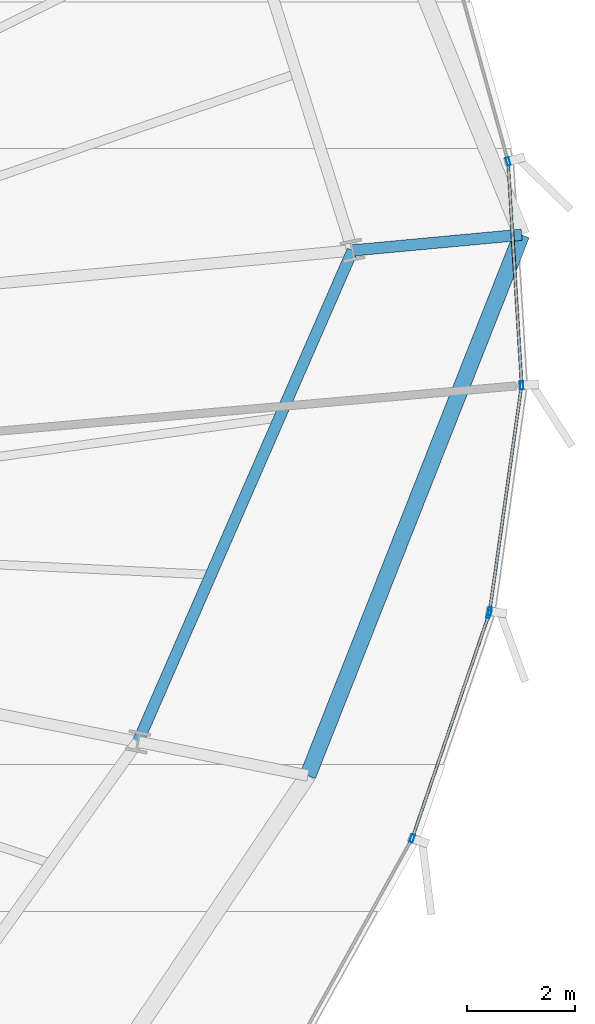
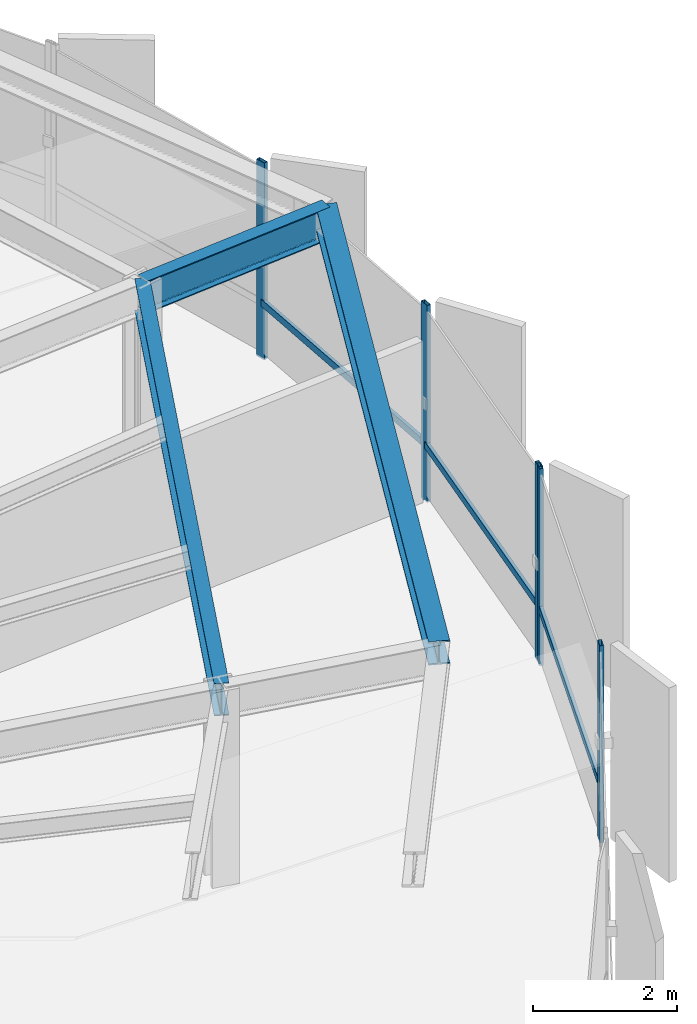
# One storey, part 16 of 35: 8 members, 3 beams, 2 elements without a shape of their own.
"""IFC4 building model written with IfcOpenShell, lengths in metres."""

from ifc_helpers import new_model, si_unit, direction, frame, origin, origin_2d, place, context, subcontext, project, spatial, hollow_rectangle, i_section, extrude, source, transform, mapped, material, layer, layer_set, material_profile, profile_set, type_object, element, aggregate, save


model = new_model("IFC4")

# Units and contexts
model_context = context("Model", 3, precision=1e-05, world=origin(), true_north=direction((0.0, 1.0)))
body_context = subcontext(model_context, "Body", "Model", "MODEL_VIEW")
ifc_project = project(units=[si_unit("LENGTHUNIT", "METRE"), si_unit("AREAUNIT", "SQUARE_METRE"), si_unit("VOLUMEUNIT", "CUBIC_METRE"), si_unit("PLANEANGLEUNIT", "RADIAN"), si_unit("MASSUNIT", "GRAM", prefix="KILO"), si_unit("THERMODYNAMICTEMPERATUREUNIT", "KELVIN")], contexts=[model_context])

# Site, building, storey
site_placement = place(None, origin())
site = spatial("IfcSite", under=ifc_project, at=site_placement, CompositionType="ELEMENT")
building_placement = place(site_placement, origin())
building = spatial("IfcBuilding", under=site, at=building_placement, Name="Kethvar Cultural Tower", CompositionType="ELEMENT")
storey_placement = place(building_placement, frame((0.0, 0.0, 121.60009765625)))
storey = spatial("IfcBuildingStorey", under=building, at=storey_placement, Name="L30", CompositionType="ELEMENT", Elevation=121.60009765625)

# Beams
ifc_material_1 = material(Name="Steel S355J2", Category="steel")
ifc_material_profile_1 = material_profile(ifc_material_1, i_section(OverallWidth=0.2099609375, OverallDepth=0.550048828125, WebThickness=0.010986328125, FlangeThickness=0.01708984375, FilletRadius=0.02392578125, at=origin_2d()), Name="Steel S355J2 — IPE550")
ifc_profile_set_1 = profile_set([ifc_material_profile_1], Name="Steel S355J2 — IPE550")
beam_type_1 = type_object("IfcBeamType", Name="BM-IPE550", PredefinedType="BEAM", material=ifc_profile_set_1)
shared_shape_1 = source(origin(), body_context, "Body", "SweptSolid", [
    extrude(i_section(OverallWidth=0.2099609375, OverallDepth=0.550048828125, WebThickness=0.010986328125, FlangeThickness=0.01708984375, FilletRadius=0.02392578125, at=origin_2d()), origin(), (0.0, 0.0, 1.0), 9.90625),
])
beam_1_placement = place(storey_placement, frame((67.638671875, 23.65478515625, 3.072998046875), z_axis=(0.400138679026, 0.916454602011, 0.0), x_axis=(-0.916454602011, 0.400138679026, 0.0)))
element("IfcBeam", 1, at=beam_1_placement, inside=storey, type_object=beam_type_1, Name="L30 Column Ring Tie Beam CR-16", PredefinedType="BEAM", context=body_context, shape_type="MappedRepresentation", body=[
    mapped(shared_shape_1, transform((0.0, 0.0, 0.0), scale=1.0)),
])
shared_shape_2 = source(origin(), body_context, "Body", "SweptSolid", [
    extrude(i_section(OverallWidth=0.2099609375, OverallDepth=0.550048828125, WebThickness=0.010986328125, FlangeThickness=0.01708984375, FilletRadius=0.02392578125, at=origin_2d()), origin(), (0.0, 0.0, 1.0), 3.13818359375),
])
beam_2_placement = place(storey_placement, frame((71.6025390625, 32.7333984375, 3.072998046875), z_axis=(0.99572704007, 0.092345339211, 0.0), x_axis=(-0.092345339211, 0.99572704007, 0.0)))
element("IfcBeam", 2, at=beam_2_placement, inside=storey, type_object=beam_type_1, Name="L30 Perimeter Cantilever Beam RC-01", PredefinedType="BEAM", context=body_context, shape_type="MappedRepresentation", body=[
    mapped(shared_shape_2, transform((0.0, 0.0, 0.0), scale=1.0)),
])
ifc_material_profile_2 = material_profile(ifc_material_1, i_section(OverallWidth=0.300048828125, OverallDepth=0.39990234375, WebThickness=0.013427734375, FlangeThickness=0.02392578125, FilletRadius=0.027099609375, at=origin_2d()), Name="Steel S355J2 — HEB400")
ifc_profile_set_2 = profile_set([ifc_material_profile_2], Name="Steel S355J2 — HEB400")
beam_type_2 = type_object("IfcBeamType", Name="BM-SP400", PredefinedType="SPANDREL", material=ifc_profile_set_2)
shared_shape_3 = source(origin(), body_context, "Body", "SweptSolid", [
    extrude(i_section(OverallWidth=0.300048828125, OverallDepth=0.39990234375, WebThickness=0.013427734375, FlangeThickness=0.02392578125, FilletRadius=0.027099609375, at=origin_2d()), origin(), (0.0, 0.0, 1.0), 10.7451171875),
])
beam_3_placement = place(storey_placement, frame((70.777099609375, 23.030517578125, 3.14794921875), z_axis=(0.367626901119, 0.929973366056, 0.0), x_axis=(-0.929973366056, 0.367626901119, 0.0)))
element("IfcBeam", 3, at=beam_3_placement, inside=storey, type_object=beam_type_2, Name="L30 Perimeter Spandrel Beam SP-16", PredefinedType="SPANDREL", context=body_context, shape_type="MappedRepresentation", body=[
    mapped(shared_shape_3, transform((0.0, 0.0, 0.0), scale=1.0)),
])

# Curtain wall, members
ifc_material_2 = material(Name="Aluminium 6063-T6", Category="aluminium")
ifc_layer = layer(ifc_material_2, 0.179931640625, Name="Aluminium 6063-T6", Category="aluminium")
ifc_layer_set = layer_set([ifc_layer], Name="Aluminium 6063-T6 (180 mm)")
curtain_wall_type = type_object("IfcCurtainWallType", Name="CW-SYS-03-Z2", PredefinedType="NOTDEFINED", material=ifc_layer_set)
curtain_wall_1_placement = place(storey_placement, origin())
curtain_wall_1 = element("IfcCurtainWall", 4, at=curtain_wall_1_placement, inside=storey, type_object=curtain_wall_type, Name="L30 Curtain Wall Run 06", PredefinedType="NOTDEFINED")
ifc_material_profile_3 = material_profile(ifc_material_2, hollow_rectangle(XDim=0.06005859375, YDim=0.14990234375, WallThickness=0.0048828125, at=origin_2d()), Name="Aluminium 6063-T6 — RHS150x60x5")
ifc_profile_set_3 = profile_set([ifc_material_profile_3], Name="Aluminium 6063-T6 — RHS150x60x5")
member_type_1 = type_object("IfcMemberType", Name="CW-SYS-03-Z2-MUL", PredefinedType="MULLION", material=ifc_profile_set_3)
shared_shape_4 = source(origin(), body_context, "Body", "SweptSolid", [
    extrude(hollow_rectangle(XDim=0.06005859375, YDim=0.14990234375, WallThickness=0.0048828125, at=origin_2d()), origin(), (0.0, 0.0, 1.0), 3.349853515625),
])
member_1_placement = place(storey_placement, frame((72.704833984375, 21.868408203125, 0.0), z_axis=(0.0, 0.0, 1.0), x_axis=(-0.9460740514, 0.32395044261, 0.0)))
member_1 = element("IfcMember", 5, at=member_1_placement, type_object=member_type_1, Name="CW-L30-R06 Mullion 6", PredefinedType="MULLION", context=body_context, shape_type="MappedRepresentation", body=[
    mapped(shared_shape_4, transform((0.0, 0.0, 0.0), scale=1.0)),
])
member_2_placement = place(storey_placement, frame((74.123779296875, 26.01220703125, 0.0), z_axis=(0.0, 0.0, 1.0), x_axis=(-0.9460740514, 0.32395044261, 0.0)))
member_2 = element("IfcMember", 6, at=member_2_placement, type_object=member_type_1, Name="CW-L30-R06 Mullion 7", PredefinedType="MULLION", context=body_context, shape_type="MappedRepresentation", body=[
    mapped(shared_shape_4, transform((0.0, 0.0, 0.0), scale=1.0)),
])

curtain_wall_2_placement = place(storey_placement, origin())
curtain_wall_2 = element("IfcCurtainWall", 7, at=curtain_wall_2_placement, inside=storey, type_object=curtain_wall_type, Name="L30 Curtain Wall Run 07", PredefinedType="NOTDEFINED")
member_3_placement = place(storey_placement, frame((74.13671875, 26.06640625, 0.0), z_axis=(0.0, 0.0, 1.0), x_axis=(-0.990190185376, 0.13972614925, 0.0)))
member_3 = element("IfcMember", 8, at=member_3_placement, type_object=member_type_1, Name="CW-L30-R07 Mullion 1", PredefinedType="MULLION", context=body_context, shape_type="MappedRepresentation", body=[
    mapped(shared_shape_4, transform((0.0, 0.0, 0.0), scale=1.0)),
])
member_4_placement = place(storey_placement, frame((74.727783203125, 30.23974609375, 0.0), z_axis=(0.0, 0.0, 1.0), x_axis=(-0.998135863768, -0.061031118787, 0.0)))
member_4 = element("IfcMember", 9, at=member_4_placement, type_object=member_type_1, Name="CW-L30-R07 Mullion 2", PredefinedType="MULLION", context=body_context, shape_type="MappedRepresentation", body=[
    mapped(shared_shape_4, transform((0.0, 0.0, 0.0), scale=1.0)),
])
member_5_placement = place(storey_placement, frame((74.4775390625, 34.376708984375, 0.0), z_axis=(0.0, 0.0, 1.0), x_axis=(-0.963588463615, -0.267389739498, 0.0)))
member_5 = element("IfcMember", 10, at=member_5_placement, type_object=member_type_1, Name="CW-L30-R07 Mullion 3", PredefinedType="MULLION", context=body_context, shape_type="MappedRepresentation", body=[
    mapped(shared_shape_4, transform((0.0, 0.0, 0.0), scale=1.0)),
])
ifc_material_profile_4 = material_profile(ifc_material_2, hollow_rectangle(XDim=0.054931640625, YDim=0.1201171875, WallThickness=0.00390625, at=origin_2d()), Name="Aluminium 6063-T6 — RHS120x55x4")
ifc_profile_set_4 = profile_set([ifc_material_profile_4], Name="Aluminium 6063-T6 — RHS120x55x4")
member_type_2 = type_object("IfcMemberType", Name="CW-SYS-03-Z2-TRN", PredefinedType="USERDEFINED", material=ifc_profile_set_4)
shared_shape_5 = source(origin(), body_context, "Body", "SweptSolid", [
    extrude(hollow_rectangle(XDim=0.054931640625, YDim=0.1201171875, WallThickness=0.00390625, at=origin_2d()), origin(), (0.0, 0.0, 1.0), 4.1904296875),
])
member_6_placement = place(storey_placement, frame((74.13720703125, 26.070556640625, 0.949951171875), z_axis=(0.139765413101, 0.990184644044, 0.0), x_axis=(-0.990184644044, 0.139765413101, 0.0)))
member_6 = element("IfcMember", 11, at=member_6_placement, type_object=member_type_2, Name="CW-L30-R07 Transom 1", ObjectType="TRANSOM", PredefinedType="USERDEFINED", context=body_context, shape_type="MappedRepresentation", body=[
    mapped(shared_shape_5, transform((0.0, 0.0, 0.0), scale=1.0)),
])

# Member
shared_shape_6 = source(origin(), body_context, "Body", "SweptSolid", [
    extrude(hollow_rectangle(XDim=0.054931640625, YDim=0.1201171875, WallThickness=0.00390625, at=origin_2d()), origin(), (0.0, 0.0, 1.0), 4.33251953125),
])
member_7_placement = place(storey_placement, frame((72.71875, 21.9091796875, 0.949951171875), z_axis=(0.323959811651, 0.946070843243, 0.0), x_axis=(-0.946070843243, 0.323959811651, 0.0)))
member_7 = element("IfcMember", 12, at=member_7_placement, type_object=member_type_2, Name="CW-L30-R06 Transom 6", ObjectType="TRANSOM", PredefinedType="USERDEFINED", context=body_context, shape_type="MappedRepresentation", body=[
    mapped(shared_shape_6, transform((0.0, 0.0, 0.0), scale=1.0)),
])

aggregate(curtain_wall_1, [member_1, member_2, member_7])

shared_shape_7 = source(origin(), body_context, "Body", "SweptSolid", [
    extrude(hollow_rectangle(XDim=0.054931640625, YDim=0.1201171875, WallThickness=0.00390625, at=origin_2d()), origin(), (0.0, 0.0, 1.0), 4.08203125),
])
member_8_placement = place(storey_placement, frame((74.725341796875, 30.28271484375, 0.949951171875), z_axis=(-0.061004269591, 0.998137505102, 0.0), x_axis=(-0.998137505102, -0.061004269591, 0.0)))
member_8 = element("IfcMember", 13, at=member_8_placement, type_object=member_type_2, Name="CW-L30-R07 Transom 2", ObjectType="TRANSOM", PredefinedType="USERDEFINED", context=body_context, shape_type="MappedRepresentation", body=[
    mapped(shared_shape_7, transform((0.0, 0.0, 0.0), scale=1.0)),
])

aggregate(curtain_wall_2, [member_3, member_4, member_5, member_6, member_8])

save(model, "model.ifc")
